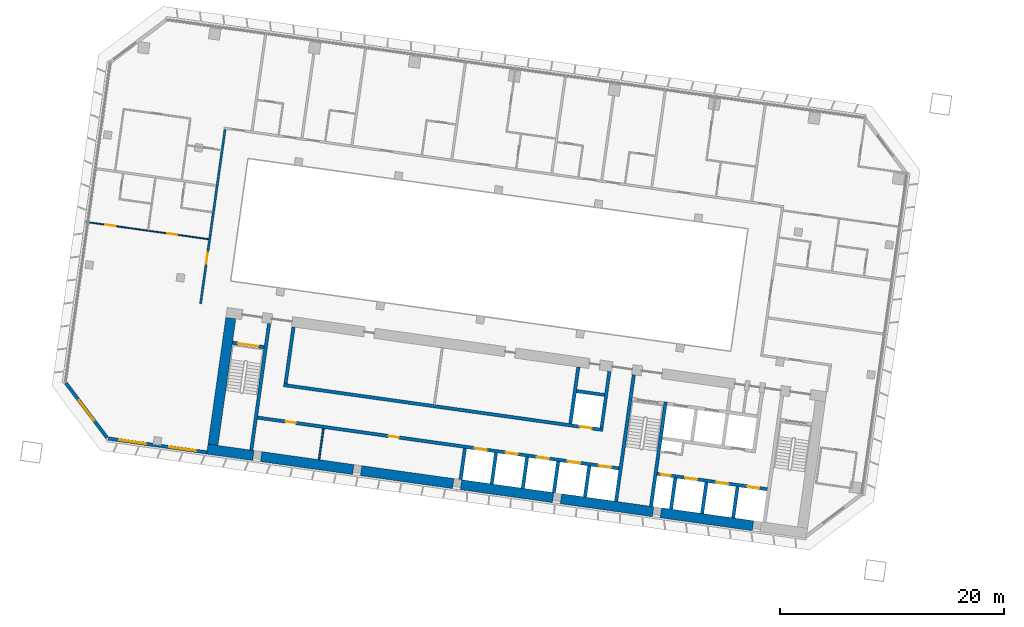
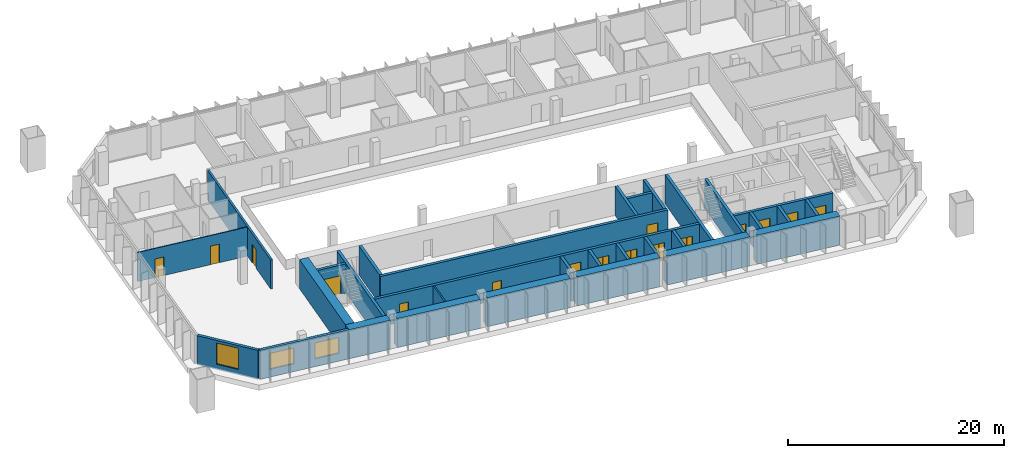
# One storey, part 14 of 24: 31 walls, 16 doors, 3 windows, 19 openings.
"""IFC4 building model written with IfcOpenShell, lengths in metres."""

from ifc_helpers import new_model, si_unit, direction, frame, frame_2d, origin, place, context, subcontext, project, spatial, rectangle, extrude, material, layer, layer_set, type_object, element, fill, save


model = new_model("IFC4")

# Units and contexts
model_context = context("Model", 3, precision=1e-05, world=origin(), true_north=direction((0.0, 1.0)))
body_context = subcontext(model_context, "Body", "Model", "MODEL_VIEW")
ifc_project = project(units=[si_unit("LENGTHUNIT", "METRE"), si_unit("AREAUNIT", "SQUARE_METRE"), si_unit("VOLUMEUNIT", "CUBIC_METRE"), si_unit("PLANEANGLEUNIT", "RADIAN"), si_unit("MASSUNIT", "GRAM", prefix="KILO")], contexts=[model_context])

# Site, building, storey
site_placement = place(None, origin())
site = spatial("IfcSite", under=ifc_project, at=site_placement, CompositionType="ELEMENT")
building_placement = place(site_placement, origin())
building = spatial("IfcBuilding", under=site, at=building_placement, Name="Mirante Cascada Hotel Towers", CompositionType="ELEMENT")
storey_placement = place(building_placement, frame((0.0, 0.0, 88.9)))
storey = spatial("IfcBuildingStorey", under=building, at=storey_placement, Name="L19", CompositionType="ELEMENT", Elevation=88.9)

# Wall, opening, door
ifc_material_1 = material(Name="Fire-rated plasterboard on metal studs")
ifc_layer_1 = layer(ifc_material_1, 0.2)
ifc_layer_set_1 = layer_set([ifc_layer_1], Name="Compartment wall 200 EI 120")
wall_type_1 = type_object("IfcWallType", Name="Compartment wall 200 EI 120", PredefinedType="PARTITIONING", material=ifc_layer_set_1)
wall_1_placement = place(storey_placement, frame((-88.9295, 16.2793, 0.0), z_axis=(0.0, 0.0, 1.0), x_axis=(-0.1391721, -0.9902682, 0.0)))
wall_1 = element("IfcWall", 1, at=wall_1_placement, inside=storey, type_object=wall_type_1, Name="Wall 1-L19-49", PredefinedType="PARTITIONING", context=body_context, shape_type="SweptSolid", body=[
    extrude(rectangle(XDim=15.7, YDim=0.2, at=frame_2d((7.85, 0.0))), origin(), (0.0, 0.0, 1.0), 3.3),
])
opening_1_placement = place(wall_1_placement, frame((11.1, 0.0, 0.0)))
opening_1 = element("IfcOpeningElement", 2, at=opening_1_placement, cuts=wall_1, Name="Opening D1-L19-31", PredefinedType="OPENING", context=body_context, shape_type="SweptSolid", body=[
    extrude(rectangle(XDim=1.0, YDim=2.1, at=frame_2d((0.5, 1.05))), frame((0.0, 0.1, 0.0), z_axis=(0.0, -1.0, 0.0), x_axis=(1.0, 0.0, 0.0)), (0.0, 0.0, 1.0), 0.2),
])
ifc_material_2 = material(Name="Fire-rated timber door leaf", Category="wood")
door_type_1 = type_object("IfcDoorType", Name="Entrance door DG1 1000x2100 EI 60", OperationType="SINGLE_SWING_LEFT", PredefinedType="DOOR", material=ifc_material_2)
door_1_placement = place(opening_1_placement, frame((1.0, 0.0, 0.0), z_axis=(0.0, 0.0, 1.0), x_axis=(-1.0, 0.0, 0.0)))
door_1 = element("IfcDoor", 3, at=door_1_placement, inside=storey, type_object=door_type_1, Name="Door D1-L19-31", OperationType="SINGLE_SWING_RIGHT", OverallHeight=2.1, OverallWidth=1.0, PredefinedType="DOOR", context=body_context, shape_type="SweptSolid", body=[
    extrude(rectangle(XDim=1.0, YDim=2.1, at=frame_2d((0.5, 1.05))), frame((0.0, 0.025, 0.0), z_axis=(0.0, -1.0, 0.0), x_axis=(1.0, 0.0, 0.0)), (0.0, 0.0, 1.0), 0.05),
])
fill(opening_1, door_1)

# Wall
ifc_material_3 = material(Name="Masonry block", Category="masonry")
ifc_layer_2 = layer(ifc_material_3, 0.15)
ifc_layer_set_2 = layer_set([ifc_layer_2], Name="Core room partition 150 block EI 30")
wall_type_2 = type_object("IfcWallType", Name="Core room partition 150 block EI 30", PredefinedType="PARTITIONING", material=ifc_layer_set_2)
wall_2_placement = place(storey_placement, frame((-80.547, -13.174, 0.0), z_axis=(0.0, 0.0, 1.0), x_axis=(0.139176, 0.9902677, 0.0)))
element("IfcWall", 4, at=wall_2_placement, inside=storey, type_object=wall_type_2, Name="Core wall partition T1 L19 5", PredefinedType="PARTITIONING", context=body_context, shape_type="SweptSolid", body=[
    extrude(rectangle(XDim=2.8001, YDim=0.15, at=frame_2d((1.4, 0.0))), origin(), (0.0, 0.0, 1.0), 3.3),
])

# Wall, openings, doors
ifc_material_4 = material(Name="Plasterboard on metal studs")
ifc_layer_3 = layer(ifc_material_4, 0.1)
ifc_layer_set_3 = layer_set([ifc_layer_3], Name="Partition 100")
wall_type_3 = type_object("IfcWallType", Name="Partition 100", PredefinedType="PARTITIONING", material=ifc_layer_set_3)
wall_3_placement = place(storey_placement, frame((-101.2993, 8.0205, 0.0), z_axis=(0.0, 0.0, 1.0), x_axis=(0.990268, -0.1391733, 0.0)))
wall_3 = element("IfcWall", 5, at=wall_3_placement, inside=storey, type_object=wall_type_3, Name="Wall 1-L19-05", PredefinedType="PARTITIONING", context=body_context, shape_type="SweptSolid", body=[
    extrude(rectangle(XDim=11.0, YDim=0.1, at=frame_2d((5.5, 0.0))), origin(), (0.0, 0.0, 1.0), 3.3),
])
opening_2_placement = place(wall_3_placement, frame((7.275, 0.0, 0.0)))
opening_2 = element("IfcOpeningElement", 6, at=opening_2_placement, cuts=wall_3, Name="Opening D1-L19-03", PredefinedType="OPENING", context=body_context, shape_type="SweptSolid", body=[
    extrude(rectangle(XDim=0.9, YDim=2.1, at=frame_2d((0.45, 1.05))), frame((0.0, 0.05, 0.0), z_axis=(0.0, -1.0, 0.0), x_axis=(1.0, 0.0, 0.0)), (0.0, 0.0, 1.0), 0.1),
])
opening_3_placement = place(wall_3_placement, frame((1.725, 0.0, 0.0)))
opening_3 = element("IfcOpeningElement", 7, at=opening_3_placement, cuts=wall_3, Name="Opening D1-L19-04", PredefinedType="OPENING", context=body_context, shape_type="SweptSolid", body=[
    extrude(rectangle(XDim=0.9, YDim=2.1, at=frame_2d((0.45, 1.05))), frame((0.0, 0.05, 0.0), z_axis=(0.0, -1.0, 0.0), x_axis=(1.0, 0.0, 0.0)), (0.0, 0.0, 1.0), 0.1),
])
ifc_material_5 = material(Name="Timber door leaf", Category="wood")
door_type_2 = type_object("IfcDoorType", Name="Room door DG3 900x2100", OperationType="SINGLE_SWING_LEFT", PredefinedType="DOOR", material=ifc_material_5)
door_2_placement = place(opening_2_placement, frame((0.9, 0.0, 0.0), z_axis=(0.0, 0.0, 1.0), x_axis=(-1.0, 0.0, 0.0)))
door_2 = element("IfcDoor", 8, at=door_2_placement, inside=storey, type_object=door_type_2, Name="Door D1-L19-03", OperationType="SINGLE_SWING_RIGHT", OverallHeight=2.1, OverallWidth=0.9, PredefinedType="DOOR", context=body_context, shape_type="SweptSolid", body=[
    extrude(rectangle(XDim=0.9, YDim=2.1, at=frame_2d((0.45, 1.05))), frame((0.0, 0.025, 0.0), z_axis=(0.0, -1.0, 0.0), x_axis=(1.0, 0.0, 0.0)), (0.0, 0.0, 1.0), 0.05),
])
fill(opening_2, door_2)
door_3_placement = place(opening_3_placement, frame((0.9, 0.0, 0.0), z_axis=(0.0, 0.0, 1.0), x_axis=(-1.0, 0.0, 0.0)))
door_3 = element("IfcDoor", 9, at=door_3_placement, inside=storey, type_object=door_type_2, Name="Door D1-L19-04", OperationType="SINGLE_SWING_RIGHT", OverallHeight=2.1, OverallWidth=0.9, PredefinedType="DOOR", context=body_context, shape_type="SweptSolid", body=[
    extrude(rectangle(XDim=0.9, YDim=2.1, at=frame_2d((0.45, 1.05))), frame((0.0, 0.025, 0.0), z_axis=(0.0, -1.0, 0.0), x_axis=(1.0, 0.0, 0.0)), (0.0, 0.0, 1.0), 0.05),
])
fill(opening_3, door_3)

# Wall, openings, windows
ifc_material_6 = material(Name="Precast concrete C40/50", Category="concrete")
ifc_layer_4 = layer(ifc_material_6, 0.3)
ifc_layer_set_4 = layer_set([ifc_layer_4], Name="Precast concrete C40/50 cladding wall 300")
wall_type_4 = type_object("IfcWallType", Name="Precast concrete C40/50 cladding wall 300", PredefinedType="STANDARD", material=ifc_layer_set_4)
wall_4_placement = place(storey_placement, frame((-90.5541, -12.5249, 0.0), z_axis=(0.0, 0.0, 1.0), x_axis=(-0.9902676, 0.1391765, 0.0)))
wall_4 = element("IfcWall", 10, at=wall_4_placement, inside=storey, type_object=wall_type_4, Name="Rear cladding wall T1 L19 1", PredefinedType="STANDARD", context=body_context, shape_type="SweptSolid", body=[
    extrude(rectangle(XDim=8.8758, YDim=0.3, at=frame_2d((4.4379, 0.0))), origin(), (0.0, 0.0, 1.0), 3.3),
])
opening_4_placement = place(wall_4_placement, frame((1.0012, 0.0, 0.9)))
opening_4 = element("IfcOpeningElement", 11, at=opening_4_placement, cuts=wall_4, Name="Opening W1-19-01", PredefinedType="OPENING", context=body_context, shape_type="SweptSolid", body=[
    extrude(rectangle(XDim=2.4, YDim=1.8, at=frame_2d((1.2, 0.9))), frame((0.0, 0.15, 0.0), z_axis=(0.0, -1.0, 0.0), x_axis=(1.0, 0.0, 0.0)), (0.0, 0.0, 1.0), 0.3),
])
opening_5_placement = place(wall_4_placement, frame((5.4923, 0.0, 0.9)))
opening_5 = element("IfcOpeningElement", 12, at=opening_5_placement, cuts=wall_4, Name="Opening W1-19-02", PredefinedType="OPENING", context=body_context, shape_type="SweptSolid", body=[
    extrude(rectangle(XDim=2.4, YDim=1.8, at=frame_2d((1.2, 0.9))), frame((0.0, 0.15, 0.0), z_axis=(0.0, -1.0, 0.0), x_axis=(1.0, 0.0, 0.0)), (0.0, 0.0, 1.0), 0.3),
])
ifc_material_7 = material(Name="Aluminium frame with clear double glazing", Category="aluminium")
window_type_1 = type_object("IfcWindowType", Name="Punched window 2400x1800", PartitioningType="DOUBLE_PANEL_VERTICAL", PredefinedType="WINDOW", material=ifc_material_7)
window_1_placement = place(opening_4_placement, origin())
window_1 = element("IfcWindow", 13, at=window_1_placement, inside=storey, type_object=window_type_1, Name="Window W1-19-01", OverallHeight=1.8, OverallWidth=2.4, PartitioningType="SINGLE_PANEL", PredefinedType="WINDOW", context=body_context, shape_type="SweptSolid", body=[
    extrude(rectangle(XDim=2.4, YDim=1.8, at=frame_2d((1.2, 0.9))), frame((0.0, 0.03, 0.0), z_axis=(0.0, -1.0, 0.0), x_axis=(1.0, 0.0, 0.0)), (0.0, 0.0, 1.0), 0.06),
])
fill(opening_4, window_1)
window_2_placement = place(opening_5_placement, origin())
window_2 = element("IfcWindow", 14, at=window_2_placement, inside=storey, type_object=window_type_1, Name="Window W1-19-02", OverallHeight=1.8, OverallWidth=2.4, PartitioningType="SINGLE_PANEL", PredefinedType="WINDOW", context=body_context, shape_type="SweptSolid", body=[
    extrude(rectangle(XDim=2.4, YDim=1.8, at=frame_2d((1.2, 0.9))), frame((0.0, 0.03, 0.0), z_axis=(0.0, -1.0, 0.0), x_axis=(1.0, 0.0, 0.0)), (0.0, 0.0, 1.0), 0.06),
])
fill(opening_5, window_2)

# Wall, opening, window
wall_5_placement = place(storey_placement, frame((-99.4424, -11.2313, 0.0), z_axis=(0.0, 0.0, 1.0), x_axis=(-0.6018194, 0.7986322, 0.0)))
wall_5 = element("IfcWall", 15, at=wall_5_placement, inside=storey, type_object=wall_type_4, Name="Corner cladding wall T1 L19 rear outer", PredefinedType="STANDARD", context=body_context, shape_type="SweptSolid", body=[
    extrude(rectangle(XDim=6.1155, YDim=0.3, at=frame_2d((3.0578, 0.0))), origin(), (0.0, 0.0, 1.0), 3.3),
])
opening_6_placement = place(wall_5_placement, frame((1.9576, 0.0, 0.6)))
opening_6 = element("IfcOpeningElement", 16, at=opening_6_placement, cuts=wall_5, Name="Opening W1-19-03", PredefinedType="OPENING", context=body_context, shape_type="SweptSolid", body=[
    extrude(rectangle(XDim=2.2, YDim=2.4, at=frame_2d((1.1, 1.2))), frame((0.0, 0.15, 0.0), z_axis=(0.0, -1.0, 0.0), x_axis=(1.0, 0.0, 0.0)), (0.0, 0.0, 1.0), 0.3),
])
ifc_material_8 = material(Name="Aluminium frame with clear double glazing", Category="aluminium")
window_type_2 = type_object("IfcWindowType", Name="Corner suite window 2200x2400", PartitioningType="DOUBLE_PANEL_VERTICAL", PredefinedType="WINDOW", material=ifc_material_8)
window_3_placement = place(opening_6_placement, origin())
window_3 = element("IfcWindow", 17, at=window_3_placement, inside=storey, type_object=window_type_2, Name="Window W1-19-03", OverallHeight=2.4, OverallWidth=2.2, PartitioningType="SINGLE_PANEL", PredefinedType="WINDOW", context=body_context, shape_type="SweptSolid", body=[
    extrude(rectangle(XDim=2.2, YDim=2.4, at=frame_2d((1.1, 1.2))), frame((0.0, 0.03, 0.0), z_axis=(0.0, -1.0, 0.0), x_axis=(1.0, 0.0, 0.0)), (0.0, 0.0, 1.0), 0.06),
])
fill(opening_6, window_3)

# Walls
ifc_material_9 = material(Name="Concrete C50/60", Category="concrete")
ifc_layer_5 = layer(ifc_material_9, 0.3)
ifc_layer_set_5 = layer_set([ifc_layer_5], Name="RC core wall 300 C50/60")
wall_type_5 = type_object("IfcWallType", Name="RC core wall 300 C50/60", PredefinedType="SHEAR", material=ifc_layer_set_5)
wall_6_placement = place(storey_placement, frame((-50.938, -17.3352, 0.0), z_axis=(0.0, 0.0, 1.0), x_axis=(0.1391706, 0.9902684, 0.0)))
element("IfcWall", 18, at=wall_6_placement, inside=storey, type_object=wall_type_5, Name="Core wall T1:L19:6", PredefinedType="SHEAR", context=body_context, shape_type="SweptSolid", body=[
    extrude(rectangle(XDim=9.4, YDim=0.3, at=frame_2d((4.7, 0.0))), origin(), (0.0, 0.0, 1.0), 3.3),
])
wall_7_placement = place(storey_placement, frame((-54.0574, -16.8968, 0.0), z_axis=(0.0, 0.0, 1.0), x_axis=(0.1391761, 0.9902677, 0.0)))
element("IfcWall", 19, at=wall_7_placement, inside=storey, type_object=wall_type_5, Name="Core wall T1:L19:7", PredefinedType="SHEAR", context=body_context, shape_type="SweptSolid", body=[
    extrude(rectangle(XDim=11.3999, YDim=0.3, at=frame_2d((5.7, 0.0))), origin(), (0.0, 0.0, 1.0), 3.3),
])
wall_8_placement = place(storey_placement, frame((-86.5877, -12.325, 0.0), z_axis=(0.0, 0.0, 1.0), x_axis=(0.1391749, 0.9902678, 0.0)))
element("IfcWall", 20, at=wall_8_placement, inside=storey, type_object=wall_type_5, Name="Core wall T1:L19:8", PredefinedType="SHEAR", context=body_context, shape_type="SweptSolid", body=[
    extrude(rectangle(XDim=11.4, YDim=0.3, at=frame_2d((5.7, 0.0))), origin(), (0.0, 0.0, 1.0), 3.3),
])

# Wall, opening, door
wall_9_placement = place(storey_placement, frame((-85.4489, -3.1441, 0.0), z_axis=(0.0, 0.0, 1.0), x_axis=(-0.9902697, 0.1391613, 0.0)))
wall_9 = element("IfcWall", 21, at=wall_9_placement, inside=storey, type_object=wall_type_5, Name="Core wall T1:L19:11", PredefinedType="SHEAR", context=body_context, shape_type="SweptSolid", body=[
    extrude(rectangle(XDim=2.8499, YDim=0.3, at=frame_2d((1.425, 0.0))), origin(), (0.0, 0.0, 1.0), 3.3),
])
opening_7_placement = place(wall_9_placement, frame((0.525, 0.0, 0.0)))
opening_7 = element("IfcOpeningElement", 22, at=opening_7_placement, cuts=wall_9, Name="Opening D1-19-C17", PredefinedType="OPENING", context=body_context, shape_type="SweptSolid", body=[
    extrude(rectangle(XDim=1.8, YDim=2.1, at=frame_2d((0.9, 1.05))), frame((0.0, 0.15, 0.0), z_axis=(0.0, -1.0, 0.0), x_axis=(1.0, 0.0, 0.0)), (0.0, 0.0, 1.0), 0.3),
])
ifc_material_10 = material(Name="Hollow metal fire door leaf")
door_type_3 = type_object("IfcDoorType", Name="Double fire door 1800x2100 FD60", OperationType="DOUBLE_DOOR_SINGLE_SWING", PredefinedType="DOOR", material=ifc_material_10)
door_4_placement = place(opening_7_placement, origin())
door_4 = element("IfcDoor", 23, at=door_4_placement, inside=storey, type_object=door_type_3, Name="Stair door T1 L19 17", OperationType="DOUBLE_DOOR_SINGLE_SWING", OverallHeight=2.1, OverallWidth=1.8, PredefinedType="DOOR", context=body_context, shape_type="SweptSolid", body=[
    extrude(rectangle(XDim=0.895, YDim=2.1, at=frame_2d((0.4475, 1.05))), frame((0.0, 0.025, 0.0), z_axis=(0.0, -1.0, 0.0), x_axis=(1.0, 0.0, 0.0)), (0.0, 0.0, 1.0), 0.05),
    extrude(rectangle(XDim=0.895, YDim=2.1, at=frame_2d((1.3525, 1.05))), frame((0.0, 0.025, 0.0), z_axis=(0.0, -1.0, 0.0), x_axis=(1.0, 0.0, 0.0)), (0.0, 0.0, 1.0), 0.05),
])
fill(opening_7, door_4)

# Wall, openings, doors
wall_10_placement = place(storey_placement, frame((-40.5753, -15.8126, 0.0), z_axis=(0.0, 0.0, 1.0), x_axis=(-0.9902682, 0.1391725, 0.0)))
wall_10 = element("IfcWall", 24, at=wall_10_placement, inside=storey, type_object=wall_type_5, Name="Core wall T1:L19:12", PredefinedType="SHEAR", context=body_context, shape_type="SweptSolid", body=[
    extrude(rectangle(XDim=9.8999, YDim=0.3, at=frame_2d((4.95, 0.0))), origin(), (0.0, 0.0, 1.0), 3.3),
])
opening_8_placement = place(wall_10_placement, frame((0.7, 0.0, 0.0)))
opening_8 = element("IfcOpeningElement", 25, at=opening_8_placement, cuts=wall_10, Name="Opening LD", PredefinedType="OPENING", context=body_context, shape_type="SweptSolid", body=[
    extrude(rectangle(XDim=1.1, YDim=2.1, at=frame_2d((0.55, 1.05))), frame((0.0, 0.15, 0.0), z_axis=(0.0, -1.0, 0.0), x_axis=(1.0, 0.0, 0.0)), (0.0, 0.0, 1.0), 0.3),
])
opening_9_placement = place(wall_10_placement, frame((3.5, 0.0, 0.0)))
opening_9 = element("IfcOpeningElement", 26, at=opening_9_placement, cuts=wall_10, Name="Opening LD", PredefinedType="OPENING", context=body_context, shape_type="SweptSolid", body=[
    extrude(rectangle(XDim=1.1, YDim=2.1, at=frame_2d((0.55, 1.05))), frame((0.0, 0.15, 0.0), z_axis=(0.0, -1.0, 0.0), x_axis=(1.0, 0.0, 0.0)), (0.0, 0.0, 1.0), 0.3),
])
opening_10_placement = place(wall_10_placement, frame((6.3, 0.0, 0.0)))
opening_10 = element("IfcOpeningElement", 27, at=opening_10_placement, cuts=wall_10, Name="Opening LD", PredefinedType="OPENING", context=body_context, shape_type="SweptSolid", body=[
    extrude(rectangle(XDim=1.1, YDim=2.1, at=frame_2d((0.55, 1.05))), frame((0.0, 0.15, 0.0), z_axis=(0.0, -1.0, 0.0), x_axis=(1.0, 0.0, 0.0)), (0.0, 0.0, 1.0), 0.3),
])
opening_11_placement = place(wall_10_placement, frame((8.7, 0.0, 0.0)))
opening_11 = element("IfcOpeningElement", 28, at=opening_11_placement, cuts=wall_10, Name="Opening D1-19-C22", PredefinedType="OPENING", context=body_context, shape_type="SweptSolid", body=[
    extrude(rectangle(XDim=0.9, YDim=2.1, at=frame_2d((0.45, 1.05))), frame((0.0, 0.15, 0.0), z_axis=(0.0, -1.0, 0.0), x_axis=(1.0, 0.0, 0.0)), (0.0, 0.0, 1.0), 0.3),
])
ifc_material_11 = material(Name="Hollow metal fire door leaf")
door_type_4 = type_object("IfcDoorType", Name="Fire door 900x2100 FD60", OperationType="NOTDEFINED", PredefinedType="DOOR", material=ifc_material_11)
door_5_placement = place(opening_11_placement, origin())
door_5 = element("IfcDoor", 29, at=door_5_placement, inside=storey, type_object=door_type_4, Name="Riser door T1 L19 22", OperationType="SINGLE_SWING_LEFT", OverallHeight=2.1, OverallWidth=0.9, PredefinedType="DOOR", context=body_context, shape_type="SweptSolid", body=[
    extrude(rectangle(XDim=0.9, YDim=2.1, at=frame_2d((0.45, 1.05))), frame((0.0, 0.025, 0.0), z_axis=(0.0, -1.0, 0.0), x_axis=(1.0, 0.0, 0.0)), (0.0, 0.0, 1.0), 0.05),
])
fill(opening_11, door_5)
ifc_material_12 = material(Name="Stainless steel", Category="steel")
door_type_5 = type_object("IfcDoorType", Name="Lift landing door 1100x2100 EI 120", OperationType="DOUBLE_DOOR_SLIDING", PredefinedType="DOOR", material=ifc_material_12)
door_6_placement = place(opening_8_placement, origin())
door_6 = element("IfcDoor", 30, at=door_6_placement, inside=storey, type_object=door_type_5, Name="Lift landing door HR1-1 L19", OperationType="DOUBLE_DOOR_SLIDING", OverallHeight=2.1, OverallWidth=1.1, PredefinedType="DOOR", context=body_context, shape_type="SweptSolid", body=[
    extrude(rectangle(XDim=0.545, YDim=2.1, at=frame_2d((0.2725, 1.05))), frame((0.0, 0.025, 0.0), z_axis=(0.0, -1.0, 0.0), x_axis=(1.0, 0.0, 0.0)), (0.0, 0.0, 1.0), 0.05),
    extrude(rectangle(XDim=0.545, YDim=2.1, at=frame_2d((0.8275, 1.05))), frame((0.0, 0.025, 0.0), z_axis=(0.0, -1.0, 0.0), x_axis=(1.0, 0.0, 0.0)), (0.0, 0.0, 1.0), 0.05),
])
fill(opening_8, door_6)
door_7_placement = place(opening_9_placement, origin())
door_7 = element("IfcDoor", 31, at=door_7_placement, inside=storey, type_object=door_type_5, Name="Lift landing door HR1-2 L19", OperationType="DOUBLE_DOOR_SLIDING", OverallHeight=2.1, OverallWidth=1.1, PredefinedType="DOOR", context=body_context, shape_type="SweptSolid", body=[
    extrude(rectangle(XDim=0.545, YDim=2.1, at=frame_2d((0.2725, 1.05))), frame((0.0, 0.025, 0.0), z_axis=(0.0, -1.0, 0.0), x_axis=(1.0, 0.0, 0.0)), (0.0, 0.0, 1.0), 0.05),
    extrude(rectangle(XDim=0.545, YDim=2.1, at=frame_2d((0.8275, 1.05))), frame((0.0, 0.025, 0.0), z_axis=(0.0, -1.0, 0.0), x_axis=(1.0, 0.0, 0.0)), (0.0, 0.0, 1.0), 0.05),
])
fill(opening_9, door_7)
door_8_placement = place(opening_10_placement, origin())
door_8 = element("IfcDoor", 32, at=door_8_placement, inside=storey, type_object=door_type_5, Name="Lift landing door HR1-3 L19", OperationType="DOUBLE_DOOR_SLIDING", OverallHeight=2.1, OverallWidth=1.1, PredefinedType="DOOR", context=body_context, shape_type="SweptSolid", body=[
    extrude(rectangle(XDim=0.545, YDim=2.1, at=frame_2d((0.2725, 1.05))), frame((0.0, 0.025, 0.0), z_axis=(0.0, -1.0, 0.0), x_axis=(1.0, 0.0, 0.0)), (0.0, 0.0, 1.0), 0.05),
    extrude(rectangle(XDim=0.545, YDim=2.1, at=frame_2d((0.8275, 1.05))), frame((0.0, 0.025, 0.0), z_axis=(0.0, -1.0, 0.0), x_axis=(1.0, 0.0, 0.0)), (0.0, 0.0, 1.0), 0.05),
])
fill(opening_10, door_8)

# Walls
wall_11_placement = place(storey_placement, frame((-43.61, -18.3651, 0.0), z_axis=(0.0, 0.0, 1.0), x_axis=(0.1391459, 0.9902719, 0.0)))
element("IfcWall", 33, at=wall_11_placement, inside=storey, type_object=wall_type_5, Name="Core wall T1:L19:15", PredefinedType="SHEAR", context=body_context, shape_type="SweptSolid", body=[
    extrude(rectangle(XDim=2.7999, YDim=0.3, at=frame_2d((1.4, 0.0))), origin(), (0.0, 0.0, 1.0), 3.3),
])
wall_12_placement = place(storey_placement, frame((-46.3828, -17.9754, 0.0), z_axis=(0.0, 0.0, 1.0), x_axis=(0.139181, 0.990267, 0.0)))
element("IfcWall", 34, at=wall_12_placement, inside=storey, type_object=wall_type_5, Name="Core wall T1:L19:16", PredefinedType="SHEAR", context=body_context, shape_type="SweptSolid", body=[
    extrude(rectangle(XDim=2.8, YDim=0.3, at=frame_2d((1.4, 0.0))), origin(), (0.0, 0.0, 1.0), 3.3),
])
wall_13_placement = place(storey_placement, frame((-49.1555, -17.5857, 0.0), z_axis=(0.0, 0.0, 1.0), x_axis=(0.1391459, 0.9902719, 0.0)))
element("IfcWall", 35, at=wall_13_placement, inside=storey, type_object=wall_type_5, Name="Core wall T1:L19:17", PredefinedType="SHEAR", context=body_context, shape_type="SweptSolid", body=[
    extrude(rectangle(XDim=2.7999, YDim=0.3, at=frame_2d((1.4, 0.0))), origin(), (0.0, 0.0, 1.0), 3.3),
])

# Wall, openings, doors
wall_14_placement = place(storey_placement, frame((-53.7953, -13.9547, 0.0), z_axis=(0.0, 0.0, 1.0), x_axis=(-0.990268, 0.1391733, 0.0)))
wall_14 = element("IfcWall", 36, at=wall_14_placement, inside=storey, type_object=wall_type_5, Name="Core wall T1:L19:25", PredefinedType="SHEAR", context=body_context, shape_type="SweptSolid", body=[
    extrude(rectangle(XDim=32.5501, YDim=0.3, at=frame_2d((16.275, 0.0))), origin(), (0.0, 0.0, 1.0), 3.3),
])
opening_12_placement = place(wall_14_placement, frame((0.7, 0.0, 0.0)))
opening_12 = element("IfcOpeningElement", 37, at=opening_12_placement, cuts=wall_14, Name="Opening LD", PredefinedType="OPENING", context=body_context, shape_type="SweptSolid", body=[
    extrude(rectangle(XDim=1.1, YDim=2.1, at=frame_2d((0.55, 1.05))), frame((0.0, 0.15, 0.0), z_axis=(0.0, -1.0, 0.0), x_axis=(1.0, 0.0, 0.0)), (0.0, 0.0, 1.0), 0.3),
])
opening_13_placement = place(wall_14_placement, frame((3.5, 0.0, 0.0)))
opening_13 = element("IfcOpeningElement", 38, at=opening_13_placement, cuts=wall_14, Name="Opening LD", PredefinedType="OPENING", context=body_context, shape_type="SweptSolid", body=[
    extrude(rectangle(XDim=1.1, YDim=2.1, at=frame_2d((0.55, 1.05))), frame((0.0, 0.15, 0.0), z_axis=(0.0, -1.0, 0.0), x_axis=(1.0, 0.0, 0.0)), (0.0, 0.0, 1.0), 0.3),
])
opening_14_placement = place(wall_14_placement, frame((6.3, 0.0, 0.0)))
opening_14 = element("IfcOpeningElement", 39, at=opening_14_placement, cuts=wall_14, Name="Opening LD", PredefinedType="OPENING", context=body_context, shape_type="SweptSolid", body=[
    extrude(rectangle(XDim=1.1, YDim=2.1, at=frame_2d((0.55, 1.05))), frame((0.0, 0.15, 0.0), z_axis=(0.0, -1.0, 0.0), x_axis=(1.0, 0.0, 0.0)), (0.0, 0.0, 1.0), 0.3),
])
opening_15_placement = place(wall_14_placement, frame((9.1, 0.0, 0.0)))
opening_15 = element("IfcOpeningElement", 40, at=opening_15_placement, cuts=wall_14, Name="Opening LD", PredefinedType="OPENING", context=body_context, shape_type="SweptSolid", body=[
    extrude(rectangle(XDim=1.1, YDim=2.1, at=frame_2d((0.55, 1.05))), frame((0.0, 0.15, 0.0), z_axis=(0.0, -1.0, 0.0), x_axis=(1.0, 0.0, 0.0)), (0.0, 0.0, 1.0), 0.3),
])
opening_16_placement = place(wall_14_placement, frame((11.9, 0.0, 0.0)))
opening_16 = element("IfcOpeningElement", 41, at=opening_16_placement, cuts=wall_14, Name="Opening LD", PredefinedType="OPENING", context=body_context, shape_type="SweptSolid", body=[
    extrude(rectangle(XDim=1.1, YDim=2.1, at=frame_2d((0.55, 1.05))), frame((0.0, 0.15, 0.0), z_axis=(0.0, -1.0, 0.0), x_axis=(1.0, 0.0, 0.0)), (0.0, 0.0, 1.0), 0.3),
])
opening_17_placement = place(wall_14_placement, frame((19.85, 0.0, 0.0)))
opening_17 = element("IfcOpeningElement", 42, at=opening_17_placement, cuts=wall_14, Name="Opening D1-19-C26", PredefinedType="OPENING", context=body_context, shape_type="SweptSolid", body=[
    extrude(rectangle(XDim=0.9, YDim=2.1, at=frame_2d((0.45, 1.05))), frame((0.0, 0.15, 0.0), z_axis=(0.0, -1.0, 0.0), x_axis=(1.0, 0.0, 0.0)), (0.0, 0.0, 1.0), 0.3),
])
opening_18_placement = place(wall_14_placement, frame((29.125, 0.0, 0.0)))
opening_18 = element("IfcOpeningElement", 43, at=opening_18_placement, cuts=wall_14, Name="Opening D1-19-C27", PredefinedType="OPENING", context=body_context, shape_type="SweptSolid", body=[
    extrude(rectangle(XDim=0.9, YDim=2.1, at=frame_2d((0.45, 1.05))), frame((0.0, 0.15, 0.0), z_axis=(0.0, -1.0, 0.0), x_axis=(1.0, 0.0, 0.0)), (0.0, 0.0, 1.0), 0.3),
])
door_9_placement = place(opening_17_placement, origin())
door_9 = element("IfcDoor", 44, at=door_9_placement, inside=storey, type_object=door_type_4, Name="Room door T1 L19 26", OperationType="SINGLE_SWING_LEFT", OverallHeight=2.1, OverallWidth=0.9, PredefinedType="DOOR", context=body_context, shape_type="SweptSolid", body=[
    extrude(rectangle(XDim=0.9, YDim=2.1, at=frame_2d((0.45, 1.05))), frame((0.0, 0.025, 0.0), z_axis=(0.0, -1.0, 0.0), x_axis=(1.0, 0.0, 0.0)), (0.0, 0.0, 1.0), 0.05),
])
fill(opening_17, door_9)
door_10_placement = place(opening_18_placement, origin())
door_10 = element("IfcDoor", 45, at=door_10_placement, inside=storey, type_object=door_type_4, Name="Room door T1 L19 27", OperationType="SINGLE_SWING_LEFT", OverallHeight=2.1, OverallWidth=0.9, PredefinedType="DOOR", context=body_context, shape_type="SweptSolid", body=[
    extrude(rectangle(XDim=0.9, YDim=2.1, at=frame_2d((0.45, 1.05))), frame((0.0, 0.025, 0.0), z_axis=(0.0, -1.0, 0.0), x_axis=(1.0, 0.0, 0.0)), (0.0, 0.0, 1.0), 0.05),
])
fill(opening_18, door_10)
door_11_placement = place(opening_12_placement, origin())
door_11 = element("IfcDoor", 46, at=door_11_placement, inside=storey, type_object=door_type_5, Name="Lift landing door LR1-1 L19", OperationType="DOUBLE_DOOR_SLIDING", OverallHeight=2.1, OverallWidth=1.1, PredefinedType="DOOR", context=body_context, shape_type="SweptSolid", body=[
    extrude(rectangle(XDim=0.545, YDim=2.1, at=frame_2d((0.2725, 1.05))), frame((0.0, 0.025, 0.0), z_axis=(0.0, -1.0, 0.0), x_axis=(1.0, 0.0, 0.0)), (0.0, 0.0, 1.0), 0.05),
    extrude(rectangle(XDim=0.545, YDim=2.1, at=frame_2d((0.8275, 1.05))), frame((0.0, 0.025, 0.0), z_axis=(0.0, -1.0, 0.0), x_axis=(1.0, 0.0, 0.0)), (0.0, 0.0, 1.0), 0.05),
])
fill(opening_12, door_11)
door_12_placement = place(opening_13_placement, origin())
door_12 = element("IfcDoor", 47, at=door_12_placement, inside=storey, type_object=door_type_5, Name="Lift landing door LR1-2 L19", OperationType="DOUBLE_DOOR_SLIDING", OverallHeight=2.1, OverallWidth=1.1, PredefinedType="DOOR", context=body_context, shape_type="SweptSolid", body=[
    extrude(rectangle(XDim=0.545, YDim=2.1, at=frame_2d((0.2725, 1.05))), frame((0.0, 0.025, 0.0), z_axis=(0.0, -1.0, 0.0), x_axis=(1.0, 0.0, 0.0)), (0.0, 0.0, 1.0), 0.05),
    extrude(rectangle(XDim=0.545, YDim=2.1, at=frame_2d((0.8275, 1.05))), frame((0.0, 0.025, 0.0), z_axis=(0.0, -1.0, 0.0), x_axis=(1.0, 0.0, 0.0)), (0.0, 0.0, 1.0), 0.05),
])
fill(opening_13, door_12)
door_13_placement = place(opening_14_placement, origin())
door_13 = element("IfcDoor", 48, at=door_13_placement, inside=storey, type_object=door_type_5, Name="Lift landing door SV1-1 L19", OperationType="DOUBLE_DOOR_SLIDING", OverallHeight=2.1, OverallWidth=1.1, PredefinedType="DOOR", context=body_context, shape_type="SweptSolid", body=[
    extrude(rectangle(XDim=0.545, YDim=2.1, at=frame_2d((0.2725, 1.05))), frame((0.0, 0.025, 0.0), z_axis=(0.0, -1.0, 0.0), x_axis=(1.0, 0.0, 0.0)), (0.0, 0.0, 1.0), 0.05),
    extrude(rectangle(XDim=0.545, YDim=2.1, at=frame_2d((0.8275, 1.05))), frame((0.0, 0.025, 0.0), z_axis=(0.0, -1.0, 0.0), x_axis=(1.0, 0.0, 0.0)), (0.0, 0.0, 1.0), 0.05),
])
fill(opening_14, door_13)
door_14_placement = place(opening_15_placement, origin())
door_14 = element("IfcDoor", 49, at=door_14_placement, inside=storey, type_object=door_type_5, Name="Lift landing door SV1-2 L19", OperationType="DOUBLE_DOOR_SLIDING", OverallHeight=2.1, OverallWidth=1.1, PredefinedType="DOOR", context=body_context, shape_type="SweptSolid", body=[
    extrude(rectangle(XDim=0.545, YDim=2.1, at=frame_2d((0.2725, 1.05))), frame((0.0, 0.025, 0.0), z_axis=(0.0, -1.0, 0.0), x_axis=(1.0, 0.0, 0.0)), (0.0, 0.0, 1.0), 0.05),
    extrude(rectangle(XDim=0.545, YDim=2.1, at=frame_2d((0.8275, 1.05))), frame((0.0, 0.025, 0.0), z_axis=(0.0, -1.0, 0.0), x_axis=(1.0, 0.0, 0.0)), (0.0, 0.0, 1.0), 0.05),
])
fill(opening_15, door_14)
door_15_placement = place(opening_16_placement, origin())
door_15 = element("IfcDoor", 50, at=door_15_placement, inside=storey, type_object=door_type_5, Name="Lift landing door SV1-3 L19", OperationType="DOUBLE_DOOR_SLIDING", OverallHeight=2.1, OverallWidth=1.1, PredefinedType="DOOR", context=body_context, shape_type="SweptSolid", body=[
    extrude(rectangle(XDim=0.545, YDim=2.1, at=frame_2d((0.2725, 1.05))), frame((0.0, 0.025, 0.0), z_axis=(0.0, -1.0, 0.0), x_axis=(1.0, 0.0, 0.0)), (0.0, 0.0, 1.0), 0.05),
    extrude(rectangle(XDim=0.545, YDim=2.1, at=frame_2d((0.8275, 1.05))), frame((0.0, 0.025, 0.0), z_axis=(0.0, -1.0, 0.0), x_axis=(1.0, 0.0, 0.0)), (0.0, 0.0, 1.0), 0.05),
])
fill(opening_16, door_15)

# Walls
for number, where, z_axis, x_axis, name in (
    (51, (-56.8301, -16.5072, 0.0), (0.0, 0.0, 1.0), (0.139176, 0.9902677, 0.0), "Core wall T1:L19:26"),
    (52, (-59.6029, -16.1175, 0.0), (0.0, 0.0, 1.0), (0.139176, 0.9902677, 0.0), "Core wall T1:L19:27"),
    (53, (-62.3756, -15.7278, 0.0), (0.0, 0.0, 1.0), (0.139176, 0.9902677, 0.0), "Core wall T1:L19:28"),
    (54, (-65.1484, -15.3381, 0.0), (0.0, 0.0, 1.0), (0.139176, 0.9902677, 0.0), "Core wall T1:L19:29"),
):
    element("IfcWall", number, at=place(storey_placement, frame(where, z_axis=z_axis, x_axis=x_axis)), inside=storey, type_object=wall_type_5, Name=name, PredefinedType="SHEAR", context=body_context, shape_type="SweptSolid", body=[
        extrude(rectangle(XDim=2.8001, YDim=0.3, at=frame_2d((1.4, 0.0))), origin(), (0.0, 0.0, 1.0), 3.3),
    ])
wall_15_placement = place(storey_placement, frame((-67.9211, -14.9484, 0.0), z_axis=(0.0, 0.0, 1.0), x_axis=(0.139181, 0.990267, 0.0)))
element("IfcWall", 55, at=wall_15_placement, inside=storey, type_object=wall_type_5, Name="Core wall T1:L19:30", PredefinedType="SHEAR", context=body_context, shape_type="SweptSolid", body=[
    extrude(rectangle(XDim=2.8, YDim=0.3, at=frame_2d((1.4, 0.0))), origin(), (0.0, 0.0, 1.0), 3.3),
])

# Wall, opening, door
wall_16_placement = place(storey_placement, frame((-55.2315, -10.5214, 0.0), z_axis=(0.0, 0.0, 1.0), x_axis=(-0.9902682, 0.1391722, 0.0)))
wall_16 = element("IfcWall", 56, at=wall_16_placement, inside=storey, type_object=wall_type_5, Name="Core wall T1:L19:32", PredefinedType="SHEAR", context=body_context, shape_type="SweptSolid", body=[
    extrude(rectangle(XDim=28.75, YDim=0.3, at=frame_2d((14.375, 0.0))), origin(), (0.0, 0.0, 1.0), 3.3),
])
opening_19_placement = place(wall_16_placement, frame((1.0, 0.0, 0.0)))
opening_19 = element("IfcOpeningElement", 57, at=opening_19_placement, cuts=wall_16, Name="Opening LD", PredefinedType="OPENING", context=body_context, shape_type="SweptSolid", body=[
    extrude(rectangle(XDim=1.1, YDim=2.1, at=frame_2d((0.55, 1.05))), frame((0.0, 0.15, 0.0), z_axis=(0.0, -1.0, 0.0), x_axis=(1.0, 0.0, 0.0)), (0.0, 0.0, 1.0), 0.3),
])
door_16_placement = place(opening_19_placement, origin())
door_16 = element("IfcDoor", 58, at=door_16_placement, inside=storey, type_object=door_type_5, Name="Lift landing door LR1-3 L19", OperationType="DOUBLE_DOOR_SLIDING", OverallHeight=2.1, OverallWidth=1.1, PredefinedType="DOOR", context=body_context, shape_type="SweptSolid", body=[
    extrude(rectangle(XDim=0.545, YDim=2.1, at=frame_2d((0.2725, 1.05))), frame((0.0, 0.025, 0.0), z_axis=(0.0, -1.0, 0.0), x_axis=(1.0, 0.0, 0.0)), (0.0, 0.0, 1.0), 0.05),
    extrude(rectangle(XDim=0.545, YDim=2.1, at=frame_2d((0.8275, 1.05))), frame((0.0, 0.025, 0.0), z_axis=(0.0, -1.0, 0.0), x_axis=(1.0, 0.0, 0.0)), (0.0, 0.0, 1.0), 0.05),
])
fill(opening_19, door_16)

# Walls
for number, where, z_axis, x_axis, name in (
    (59, (-55.3592, -10.352, 0.0), (0.0, 0.0, 1.0), (0.1391755, 0.9902677, 0.0), "Core wall T1:L19:33"),
    (60, (-83.5323, -6.3925, 0.0), (0.0, 0.0, 1.0), (0.1391755, 0.9902677, 0.0), "Core wall T1:L19:34"),
    (61, (-58.1319, -9.9623, 0.0), (0.0, 0.0, 1.0), (0.1391755, 0.9902677, 0.0), "Core wall T1:L19:35"),
):
    element("IfcWall", number, at=place(storey_placement, frame(where, z_axis=z_axis, x_axis=x_axis)), inside=storey, type_object=wall_type_5, Name=name, PredefinedType="SHEAR", context=body_context, shape_type="SweptSolid", body=[
        extrude(rectangle(XDim=5.1, YDim=0.3, at=frame_2d((2.55, 0.0))), origin(), (0.0, 0.0, 1.0), 3.3),
    ])
wall_17_placement = place(storey_placement, frame((-55.0971, -7.4098, 0.0), z_axis=(0.0, 0.0, 1.0), x_axis=(-0.9902701, 0.1391586, 0.0)))
element("IfcWall", 62, at=wall_17_placement, inside=storey, type_object=wall_type_5, Name="Core wall T1:L19:36", PredefinedType="SHEAR", context=body_context, shape_type="SweptSolid", body=[
    extrude(rectangle(XDim=2.5, YDim=0.3, at=frame_2d((1.25, 0.0))), origin(), (0.0, 0.0, 1.0), 3.3),
])
ifc_material_13 = material(Name="Concrete C50/60", Category="concrete")
ifc_layer_6 = layer(ifc_material_13, 0.9)
ifc_layer_set_6 = layer_set([ifc_layer_6], Name="RC core wall 900 C50/60")
wall_type_6 = type_object("IfcWallType", Name="RC core wall 900 C50/60", PredefinedType="SHEAR", material=ifc_layer_set_6)
for number, where, z_axis, x_axis, name in (
    (63, (-41.8407, -19.0682, 0.0), (0.0, 0.0, 1.0), (-0.9902686, 0.1391692, 0.0), "Core wall T1:L19:1.2"),
    (64, (-50.7531, -17.8156, 0.0), (0.0, 0.0, 1.0), (-0.9902686, 0.1391692, 0.0), "Core wall T1:L19:1.3"),
    (65, (-59.6655, -16.5631, 0.0), (0.0, 0.0, 1.0), (-0.9902686, 0.1391692, 0.0), "Core wall T1:L19:1.4"),
    (66, (-68.5779, -15.3105, 0.0), (0.0, 0.0, 1.0), (-0.9902686, 0.1391692, 0.0), "Core wall T1:L19:1.5"),
    (67, (-77.4903, -14.058, 0.0), (0.0, 0.0, 1.0), (-0.990267, 0.139181, 0.0), "Core wall T1:L19:1.6"),
):
    element("IfcWall", number, at=place(storey_placement, frame(where, z_axis=z_axis, x_axis=x_axis)), inside=storey, type_object=wall_type_6, Name=name, PredefinedType="SHEAR", context=body_context, shape_type="SweptSolid", body=[
        extrude(rectangle(XDim=8.3, YDim=0.9, at=frame_2d((4.15, 0.0))), origin(), (0.0, 0.0, 1.0), 3.3),
    ])
wall_18_placement = place(storey_placement, frame((-86.4027, -12.8054, 0.0), z_axis=(0.0, 0.0, 1.0), x_axis=(-0.990267, 0.139181, 0.0)))
element("IfcWall", 68, at=wall_18_placement, inside=storey, type_object=wall_type_6, Name="Core wall T1:L19:1.7", PredefinedType="SHEAR", context=body_context, shape_type="SweptSolid", body=[
    extrude(rectangle(XDim=4.15, YDim=0.9, at=frame_2d((2.075, 0.0))), origin(), (0.0, 0.0, 1.0), 3.3),
])
wall_19_placement = place(storey_placement, frame((-90.0041, -11.8449, 0.0), z_axis=(0.0, 0.0, 1.0), x_axis=(0.1391749, 0.9902678, 0.0)))
element("IfcWall", 69, at=wall_19_placement, inside=storey, type_object=wall_type_6, Name="Core wall T1:L19:4", PredefinedType="SHEAR", context=body_context, shape_type="SweptSolid", body=[
    extrude(rectangle(XDim=11.4, YDim=0.9, at=frame_2d((5.7, 0.0))), origin(), (0.0, 0.0, 1.0), 3.3),
])

save(model, "model.ifc")
